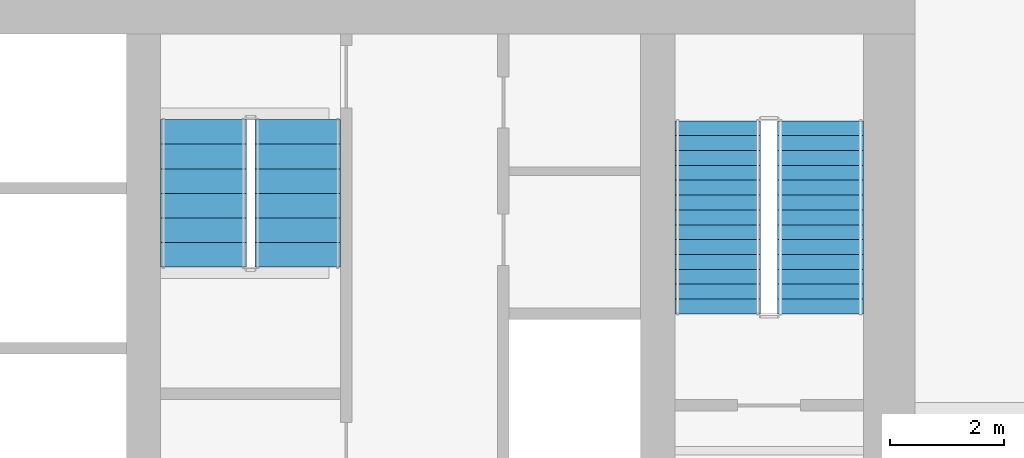
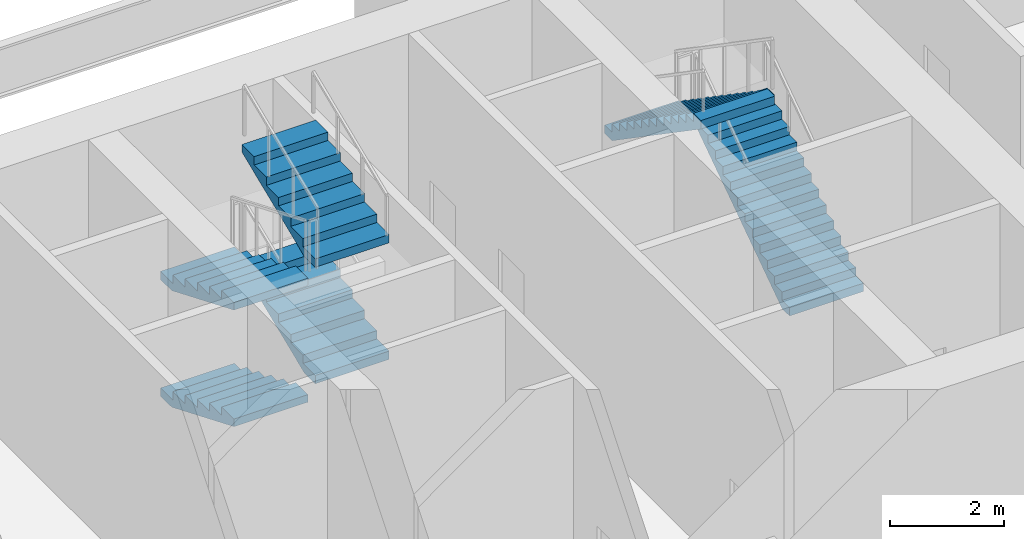
# One storey, part 6 of 11: 6 stair flights, 2 elements without a shape of their own.
"""IFC4 building model written with IfcOpenShell, lengths in metres."""

from ifc_helpers import new_model, si_unit, direction, frame, origin, place, context, subcontext, project, spatial, polyline, outline, extrude, material, type_object, element, aggregate, save


model = new_model("IFC4")

# Units and contexts
model_context = context("Model", 3, precision=1e-05, world=origin(), true_north=direction((0.0, 1.0)))
body_context = subcontext(model_context, "Body", "Model", "MODEL_VIEW")
ifc_project = project(units=[si_unit("LENGTHUNIT", "METRE"), si_unit("AREAUNIT", "SQUARE_METRE"), si_unit("VOLUMEUNIT", "CUBIC_METRE"), si_unit("PLANEANGLEUNIT", "RADIAN"), si_unit("MASSUNIT", "GRAM", prefix="KILO")], contexts=[model_context])

# Site, building, storey
site_placement = place(None, origin())
site = spatial("IfcSite", under=ifc_project, at=site_placement, CompositionType="ELEMENT")
building_placement = place(site_placement, origin())
building = spatial("IfcBuilding", under=site, at=building_placement, Name="Rattan Terrace Tower", CompositionType="ELEMENT")
storey_placement = place(building_placement, frame((0.0, 0.0, 69.300048828125)))
storey = spatial("IfcBuildingStorey", under=building, at=storey_placement, Name="L15", CompositionType="ELEMENT", Elevation=69.300048828125)

# Stair, stair flights
ifc_material_1 = material(Name="Concrete C40/50", Category="concrete")
stair_type = type_object("IfcStairType", Name="Core exit stair 1500", PredefinedType="HALF_TURN_STAIR", material=ifc_material_1)
stair_1_placement = place(storey_placement, origin())
stair_1 = element("IfcStair", 1, at=stair_1_placement, inside=storey, type_object=stair_type, Name="L15 exit stair 2", PredefinedType="HALF_TURN_STAIR")
ifc_material_2 = material(Name="Concrete C40/50", Category="concrete")
stair_flight_type = type_object("IfcStairFlightType", Name="Core exit stair flight 1500", PredefinedType="STRAIGHT", material=ifc_material_2)
stair_flight_1_placement = place(storey_placement, frame((16.35009765625, 1.699951171875, 0.0), z_axis=(0.0, 0.0, 1.0), x_axis=(0.0, 1.0, 0.0)))
stair_flight_1 = element("IfcStairFlight", 2, at=stair_flight_1_placement, type_object=stair_flight_type, Name="S2 flight 1", NumberOfRisers=14, NumberOfTreads=13, PredefinedType="STRAIGHT", RiserHeight=0.178571429, TreadLength=0.26, context=body_context, shape_type="SweptSolid", body=[
    extrude(outline(polyline([(0.0, 0.0), (0.0, 0.178466796875), (0.260009765625, 0.178466796875), (0.260009765625, 0.357177734375), (0.52001953125, 0.357177734375), (0.52001953125, 0.53564453125), (0.780029296875, 0.53564453125), (0.780029296875, 0.71435546875), (1.0400390625, 0.71435546875), (1.0400390625, 0.892822265625), (1.300048828125, 0.892822265625), (1.300048828125, 1.071533203125), (1.56005859375, 1.071533203125), (1.56005859375, 1.25), (1.820068359375, 1.25), (1.820068359375, 1.428466796875), (2.080078125, 1.428466796875), (2.080078125, 1.607177734375), (2.340087890625, 1.607177734375), (2.340087890625, 1.78564453125), (2.60009765625, 1.78564453125), (2.60009765625, 1.96435546875), (2.860107421875, 1.96435546875), (2.860107421875, 2.142822265625), (3.1201171875, 2.142822265625), (3.1201171875, 2.321533203125), (3.3798828125, 2.321533203125), (3.3798828125, 2.5), (3.3798828125, 2.1396484375), (0.264892578125, 0.0), (0.0, 0.0)])), frame((0.0, 0.75, 0.0), z_axis=(0.0, -1.0, 0.0), x_axis=(1.0, 0.0, 0.0)), (0.0, 0.0, 1.0), 1.5),
])
stair_flight_2_placement = place(storey_placement, frame((14.550048828125, 5.080078125, 2.5), z_axis=(0.0, 0.0, 1.0), x_axis=(0.0, -1.0, 0.0)))
stair_flight_2 = element("IfcStairFlight", 3, at=stair_flight_2_placement, type_object=stair_flight_type, Name="S2 flight 2", NumberOfRisers=14, NumberOfTreads=13, PredefinedType="STRAIGHT", RiserHeight=0.178571429, TreadLength=0.26, context=body_context, shape_type="SweptSolid", body=[
    extrude(outline(polyline([(0.0, 0.0), (0.0, 0.178466796875), (0.260009765625, 0.178466796875), (0.260009765625, 0.357177734375), (0.52001953125, 0.357177734375), (0.52001953125, 0.53564453125), (0.780029296875, 0.53564453125), (0.780029296875, 0.71435546875), (1.0400390625, 0.71435546875), (1.0400390625, 0.892822265625), (1.300048828125, 0.892822265625), (1.300048828125, 1.071533203125), (1.56005859375, 1.071533203125), (1.56005859375, 1.25), (1.820068359375, 1.25), (1.820068359375, 1.428466796875), (2.080078125, 1.428466796875), (2.080078125, 1.607177734375), (2.340087890625, 1.607177734375), (2.340087890625, 1.78564453125), (2.60009765625, 1.78564453125), (2.60009765625, 1.96435546875), (2.860107421875, 1.96435546875), (2.860107421875, 2.142822265625), (3.1201171875, 2.142822265625), (3.1201171875, 2.321533203125), (3.3798828125, 2.321533203125), (3.3798828125, 2.5), (3.3798828125, 2.1396484375), (0.264892578125, 0.0), (0.0, 0.0)])), frame((0.0, 0.75, 0.0), z_axis=(0.0, -1.0, 0.0), x_axis=(1.0, 0.0, 0.0)), (0.0, 0.0, 1.0), 1.5),
])
aggregate(stair_1, [stair_flight_1, stair_flight_2])

stair_2_placement = place(storey_placement, origin())
stair_2 = element("IfcStair", 4, at=stair_2_placement, inside=storey, type_object=stair_type, Name="L15 exit stair 3", PredefinedType="HALF_TURN_STAIR")
stair_flight_3_placement = place(storey_placement, frame((5.550048828125, 5.10009765625, 0.0), z_axis=(0.0, 0.0, 1.0), x_axis=(0.0, -1.0, 0.0)))
stair_flight_3 = element("IfcStairFlight", 5, at=stair_flight_3_placement, type_object=stair_flight_type, Name="S3 flight 1", NumberOfRisers=7, NumberOfTreads=6, PredefinedType="STRAIGHT", RiserHeight=0.178571429, TreadLength=0.43, context=body_context, shape_type="SweptSolid", body=[
    extrude(outline(polyline([(0.0, 0.0), (0.0, 0.178466796875), (0.429931640625, 0.178466796875), (0.429931640625, 0.357177734375), (0.860107421875, 0.357177734375), (0.860107421875, 0.53564453125), (1.2900390625, 0.53564453125), (1.2900390625, 0.71435546875), (1.719970703125, 0.71435546875), (1.719970703125, 0.892822265625), (2.14990234375, 0.892822265625), (2.14990234375, 1.071533203125), (2.580078125, 1.071533203125), (2.580078125, 1.25), (2.580078125, 0.9091796875), (0.390869140625, 0.0), (0.0, 0.0)])), frame((0.0, 0.75, 0.0), z_axis=(0.0, -1.0, 0.0), x_axis=(1.0, 0.0, 0.0)), (0.0, 0.0, 1.0), 1.5),
])
stair_flight_4_placement = place(storey_placement, frame((7.199951171875, 2.52001953125, 1.25), z_axis=(0.0, 0.0, 1.0), x_axis=(0.0, 1.0, 0.0)))
stair_flight_4 = element("IfcStairFlight", 6, at=stair_flight_4_placement, type_object=stair_flight_type, Name="S3 flight 2", NumberOfRisers=7, NumberOfTreads=6, PredefinedType="STRAIGHT", RiserHeight=0.178571429, TreadLength=0.43, context=body_context, shape_type="SweptSolid", body=[
    extrude(outline(polyline([(0.0, 0.0), (0.0, 0.178466796875), (0.429931640625, 0.178466796875), (0.429931640625, 0.357177734375), (0.860107421875, 0.357177734375), (0.860107421875, 0.53564453125), (1.2900390625, 0.53564453125), (1.2900390625, 0.71435546875), (1.719970703125, 0.71435546875), (1.719970703125, 0.892822265625), (2.14990234375, 0.892822265625), (2.14990234375, 1.071533203125), (2.580078125, 1.071533203125), (2.580078125, 1.25), (2.580078125, 0.9091796875), (0.390869140625, 0.0), (0.0, 0.0)])), frame((0.0, 0.75, 0.0), z_axis=(0.0, -1.0, 0.0), x_axis=(1.0, 0.0, 0.0)), (0.0, 0.0, 1.0), 1.5),
])
stair_flight_5_placement = place(storey_placement, frame((5.550048828125, 5.10009765625, 2.5), z_axis=(0.0, 0.0, 1.0), x_axis=(0.0, -1.0, 0.0)))
stair_flight_5 = element("IfcStairFlight", 7, at=stair_flight_5_placement, type_object=stair_flight_type, Name="S3 flight 3", NumberOfRisers=7, NumberOfTreads=6, PredefinedType="STRAIGHT", RiserHeight=0.178571429, TreadLength=0.43, context=body_context, shape_type="SweptSolid", body=[
    extrude(outline(polyline([(0.0, 0.0), (0.0, 0.178466796875), (0.429931640625, 0.178466796875), (0.429931640625, 0.357177734375), (0.860107421875, 0.357177734375), (0.860107421875, 0.53564453125), (1.2900390625, 0.53564453125), (1.2900390625, 0.71435546875), (1.719970703125, 0.71435546875), (1.719970703125, 0.892822265625), (2.14990234375, 0.892822265625), (2.14990234375, 1.071533203125), (2.580078125, 1.071533203125), (2.580078125, 1.25), (2.580078125, 0.9091796875), (0.390869140625, 0.0), (0.0, 0.0)])), frame((0.0, 0.75, 0.0), z_axis=(0.0, -1.0, 0.0), x_axis=(1.0, 0.0, 0.0)), (0.0, 0.0, 1.0), 1.5),
])
stair_flight_6_placement = place(storey_placement, frame((7.199951171875, 2.52001953125, 3.75), z_axis=(0.0, 0.0, 1.0), x_axis=(0.0, 1.0, 0.0)))
stair_flight_6 = element("IfcStairFlight", 8, at=stair_flight_6_placement, type_object=stair_flight_type, Name="S3 flight 4", NumberOfRisers=7, NumberOfTreads=6, PredefinedType="STRAIGHT", RiserHeight=0.178571429, TreadLength=0.43, context=body_context, shape_type="SweptSolid", body=[
    extrude(outline(polyline([(0.0, 0.0), (0.0, 0.178466796875), (0.429931640625, 0.178466796875), (0.429931640625, 0.357177734375), (0.860107421875, 0.357177734375), (0.860107421875, 0.53564453125), (1.2900390625, 0.53564453125), (1.2900390625, 0.71435546875), (1.719970703125, 0.71435546875), (1.719970703125, 0.892822265625), (2.14990234375, 0.892822265625), (2.14990234375, 1.071533203125), (2.580078125, 1.071533203125), (2.580078125, 1.25), (2.580078125, 0.9091796875), (0.390869140625, 0.0), (0.0, 0.0)])), frame((0.0, 0.75, 0.0), z_axis=(0.0, -1.0, 0.0), x_axis=(1.0, 0.0, 0.0)), (0.0, 0.0, 1.0), 1.5),
])
aggregate(stair_2, [stair_flight_3, stair_flight_4, stair_flight_5, stair_flight_6])

save(model, "model.ifc")
